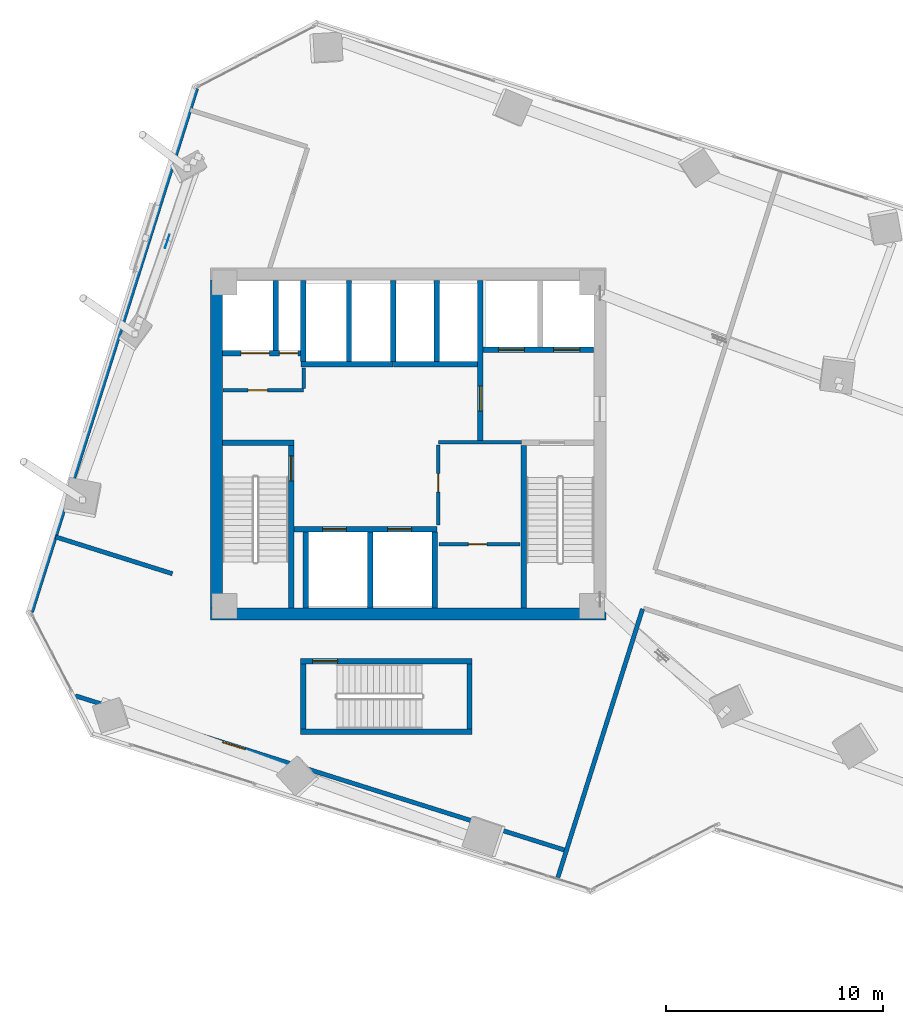
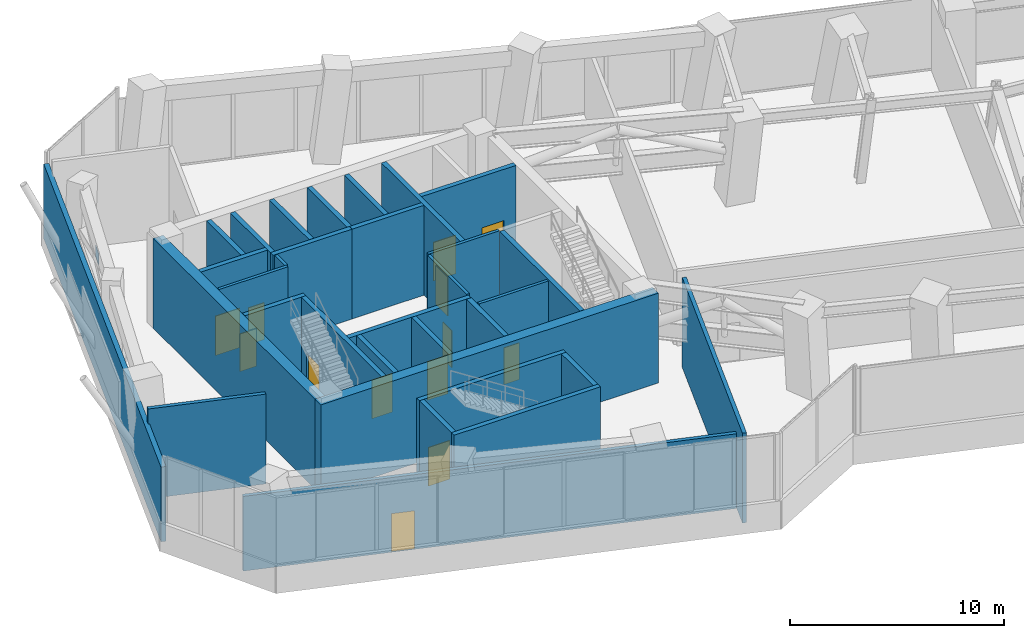
# One storey, part 23 of 29: 32 walls, 13 doors, 1 plate, 13 openings.
"""IFC4 building model written with IfcOpenShell, lengths in metres."""

from ifc_helpers import new_model, si_unit, direction, frame, frame_2d, origin, origin_2d, place, context, subcontext, project, spatial, rectangle, extrude, source, transform, mapped, material, layer, layer_set, type_object, element, fill, save


model = new_model("IFC4")

# Units and contexts
model_context = context("Model", 3, precision=1e-05, world=origin(), true_north=direction((0.0, 1.0)))
body_context = subcontext(model_context, "Body", "Model", "MODEL_VIEW")
ifc_project = project(units=[si_unit("LENGTHUNIT", "METRE"), si_unit("AREAUNIT", "SQUARE_METRE"), si_unit("VOLUMEUNIT", "CUBIC_METRE"), si_unit("PLANEANGLEUNIT", "RADIAN"), si_unit("MASSUNIT", "GRAM", prefix="KILO")], contexts=[model_context])

# Site, building, storey
site_placement = place(None, origin())
site = spatial("IfcSite", under=ifc_project, at=site_placement, CompositionType="ELEMENT")
building_placement = place(site_placement, origin())
building = spatial("IfcBuilding", under=site, at=building_placement, Name="Torre Montelarca", CompositionType="ELEMENT")
storey_placement = place(building_placement, frame((0.0, 0.0, 122.199951171875)))
storey = spatial("IfcBuildingStorey", under=building, at=storey_placement, Name="L27", CompositionType="ELEMENT", Elevation=122.199951171875)

# Plate
ifc_material_1 = material(Name="Steel ASTM A572 Grade 50", Category="steel")
ifc_layer_1 = layer(ifc_material_1, 0.02392578125, Name="Steel ASTM A572 Grade 50", Category="steel")
ifc_layer_set_1 = layer_set([ifc_layer_1], Name="Steel ASTM A572 Grade 50")
plate_type = type_object("IfcPlateType", Name="PL-GUSSET-24-EXT", PredefinedType="SHEET", material=ifc_layer_set_1)
shared_shape_1 = source(origin(), body_context, "Body", "SweptSolid", [
    extrude(rectangle(XDim=0.64990234375, YDim=0.02392578125, at=origin_2d()), origin(), (0.0, 0.0, 1.0), 0.64990234375),
])
plate_placement = place(storey_placement, frame((6.915283203125, 41.33203125, 3.47509765625), z_axis=(0.0, 0.0, 1.0), x_axis=(0.321769986684, 0.946817868267, 0.0)))
element("IfcPlate", 1, at=plate_placement, inside=storey, type_object=plate_type, Name="L27 Belt-Truss X-Brace Crossing Gusset Plate 1", PredefinedType="SHEET", context=body_context, shape_type="MappedRepresentation", body=[
    mapped(shared_shape_1, transform((0.0, 0.0, 0.0), scale=1.0)),
])

# Wall, opening, door
ifc_material_2 = material(Name="Concrete C40/50", Category="concrete")
ifc_layer_2 = layer(ifc_material_2, 0.25, Name="Concrete C40/50", Category="concrete")
ifc_layer_set_2 = layer_set([ifc_layer_2], Name="Concrete C40/50")
wall_type_1 = type_object("IfcWallType", Name="CW-SHAFT-250", PredefinedType="SHEAR", material=ifc_layer_set_2)
wall_1_placement = place(storey_placement, frame((12.625, 24.4599609375, 0.0), z_axis=(0.0, 0.0, 1.0), x_axis=(0.0, 1.0, 0.0)))
wall_1 = element("IfcWall", 2, at=wall_1_placement, inside=storey, type_object=wall_type_1, Name="L27 Core Shear Wall SH-ST1-E", PredefinedType="SHEAR", context=body_context, shape_type="SweptSolid", body=[
    extrude(rectangle(XDim=7.489990234375, YDim=0.25, at=frame_2d((3.7451171875, 0.0))), origin(), (0.0, 0.0, 1.0), 5.1201171875),
])
opening_1_placement = place(wall_1_placement, frame((5.85009765625, 0.0, 0.0)))
opening_1 = element("IfcOpeningElement", 3, at=opening_1_placement, cuts=wall_1, Name="Opening FD-ST1", PredefinedType="OPENING", context=body_context, shape_type="SweptSolid", body=[
    extrude(rectangle(XDim=1.14990234375, YDim=2.199951171875, at=frame_2d((0.574951171875, 1.10009765625))), frame((0.0, 0.135009765625, 0.0), z_axis=(0.0, -1.0, 0.0), x_axis=(1.0, 0.0, 0.0)), (0.0, 0.0, 1.0), 0.27001953125),
])
ifc_material_3 = material(Name="Galvanized steel fire door", Category="steel")
door_type_1 = type_object("IfcDoorType", Name="DR-STAIR-115", OperationType="NOTDEFINED", PredefinedType="DOOR", material=ifc_material_3)
shared_shape_2 = source(origin(), body_context, "Body", "SweptSolid", [
    extrude(rectangle(XDim=1.14990234375, YDim=2.199951171875, at=frame_2d((0.574951171875, 1.10009765625))), frame((0.0, 0.02490234375, 0.0), z_axis=(0.0, -1.0, 0.0), x_axis=(1.0, 0.0, 0.0)), (0.0, 0.0, 1.0), 0.050048828125),
])
door_1_placement = place(opening_1_placement, origin())
door_1 = element("IfcDoor", 4, at=door_1_placement, inside=storey, type_object=door_type_1, Name="L27 Exit Stair ST1 Fire Door", OperationType="SINGLE_SWING_RIGHT", OverallHeight=2.199951171875, OverallWidth=1.14990234375, PredefinedType="DOOR", context=body_context, shape_type="MappedRepresentation", body=[
    mapped(shared_shape_2, transform((0.0, 0.0, 0.0), scale=1.0)),
])
fill(opening_1, door_1)

# Walls
wall_2_placement = place(storey_placement, frame((9.4599609375, 32.074951171875, 0.0), z_axis=(0.0, 0.0, 1.0), x_axis=(1.0, 0.0, 0.0)))
element("IfcWall", 5, at=wall_2_placement, inside=storey, type_object=wall_type_1, Name="L27 Core Shear Wall SH-ST1-N", PredefinedType="SHEAR", context=body_context, shape_type="SweptSolid", body=[
    extrude(rectangle(XDim=3.2900390625, YDim=0.25, at=frame_2d((1.64501953125, 0.0))), origin(), (0.0, 0.0, 1.0), 5.1201171875),
])
wall_3_placement = place(storey_placement, frame((23.31494140625, 24.4599609375, 0.0), z_axis=(0.0, 0.0, 1.0), x_axis=(0.0, 1.0, 0.0)))
element("IfcWall", 6, at=wall_3_placement, inside=storey, type_object=wall_type_1, Name="L27 Core Shear Wall SH-ST2-W", PredefinedType="SHEAR", context=body_context, shape_type="SweptSolid", body=[
    extrude(rectangle(XDim=7.489990234375, YDim=0.25, at=frame_2d((3.7451171875, 0.0))), origin(), (0.0, 0.0, 1.0), 5.1201171875),
])

# Wall, opening, door
wall_4_placement = place(storey_placement, frame((21.320068359375, 32.1201171875, 0.0), z_axis=(0.0, 0.0, 1.0), x_axis=(0.0, 1.0, 0.0)))
wall_4 = element("IfcWall", 7, at=wall_4_placement, inside=storey, type_object=wall_type_1, Name="L27 Core Shear Wall SH-FFL-W", PredefinedType="SHEAR", context=body_context, shape_type="SweptSolid", body=[
    extrude(rectangle(XDim=7.419921875, YDim=0.25, at=frame_2d((3.7099609375, 0.0))), origin(), (0.0, 0.0, 1.0), 5.1201171875),
])
opening_2_placement = place(wall_4_placement, frame((1.39990234375, 0.0, 0.0)))
opening_2 = element("IfcOpeningElement", 8, at=opening_2_placement, cuts=wall_4, Name="Opening FD-LB1", PredefinedType="OPENING", context=body_context, shape_type="SweptSolid", body=[
    extrude(rectangle(XDim=1.14990234375, YDim=2.199951171875, at=frame_2d((0.574951171875, 1.10009765625))), frame((0.0, 0.135009765625, 0.0), z_axis=(0.0, -1.0, 0.0), x_axis=(1.0, 0.0, 0.0)), (0.0, 0.0, 1.0), 0.27001953125),
])
ifc_material_4 = material(Name="Acoustic timber-veneered fire door", Category="wood")
door_type_2 = type_object("IfcDoorType", Name="DR-LOBBY-115", OperationType="NOTDEFINED", PredefinedType="DOOR", material=ifc_material_4)
shared_shape_3 = source(origin(), body_context, "Body", "SweptSolid", [
    extrude(rectangle(XDim=1.14990234375, YDim=2.199951171875, at=frame_2d((0.574951171875, 1.10009765625))), frame((0.0, 0.02490234375, 0.0), z_axis=(0.0, -1.0, 0.0), x_axis=(1.0, 0.0, 0.0)), (0.0, 0.0, 1.0), 0.050048828125),
])
door_2_placement = place(opening_2_placement, origin())
door_2 = element("IfcDoor", 9, at=door_2_placement, inside=storey, type_object=door_type_2, Name="L27 Lift Lobby to Firefighting Lobby Smoke Door", OperationType="SINGLE_SWING_LEFT", OverallHeight=2.199951171875, OverallWidth=1.14990234375, PredefinedType="DOOR", context=body_context, shape_type="MappedRepresentation", body=[
    mapped(shared_shape_3, transform((0.0, 0.0, 0.0), scale=1.0)),
])
fill(opening_2, door_2)

# Wall, openings, doors
wall_5_placement = place(storey_placement, frame((9.4599609375, 36.179931640625, 0.0), z_axis=(0.0, 0.0, 1.0), x_axis=(1.0, 0.0, 0.0)))
wall_5 = element("IfcWall", 10, at=wall_5_placement, inside=storey, type_object=wall_type_1, Name="L27 Core Shear Wall SH-SV1-S", PredefinedType="SHEAR", context=body_context, shape_type="SweptSolid", body=[
    extrude(rectangle(XDim=3.7900390625, YDim=0.25, at=frame_2d((1.89501953125, 0.0))), origin(), (0.0, 0.0, 1.0), 5.1201171875),
])
opening_3_placement = place(wall_5_placement, frame((2.6201171875, 0.0, 0.0)))
opening_3 = element("IfcOpeningElement", 11, at=opening_3_placement, cuts=wall_5, Name="Opening FD-085", PredefinedType="OPENING", context=body_context, shape_type="SweptSolid", body=[
    extrude(rectangle(XDim=0.85009765625, YDim=2.10009765625, at=frame_2d((0.425048828125, 1.050048828125))), frame((0.0, 0.135009765625, 0.0), z_axis=(0.0, -1.0, 0.0), x_axis=(1.0, 0.0, 0.0)), (0.0, 0.0, 1.0), 0.27001953125),
])
opening_4_placement = place(wall_5_placement, frame((0.85009765625, 0.0, 0.0)))
opening_4 = element("IfcOpeningElement", 12, at=opening_4_placement, cuts=wall_5, Name="Opening LD-130", PredefinedType="OPENING", context=body_context, shape_type="SweptSolid", body=[
    extrude(rectangle(XDim=1.300048828125, YDim=2.25, at=frame_2d((0.64990234375, 1.125))), frame((0.0, 0.135009765625, 0.0), z_axis=(0.0, -1.0, 0.0), x_axis=(1.0, 0.0, 0.0)), (0.0, 0.0, 1.0), 0.27001953125),
])
ifc_material_5 = material(Name="Steel riser access fire door", Category="steel")
door_type_3 = type_object("IfcDoorType", Name="DR-RISER-085", OperationType="NOTDEFINED", PredefinedType="DOOR", material=ifc_material_5)
shared_shape_4 = source(origin(), body_context, "Body", "SweptSolid", [
    extrude(rectangle(XDim=0.85009765625, YDim=2.10009765625, at=frame_2d((0.425048828125, 1.050048828125))), frame((0.0, 0.02490234375, 0.0), z_axis=(0.0, -1.0, 0.0), x_axis=(1.0, 0.0, 0.0)), (0.0, 0.0, 1.0), 0.050048828125),
])
door_3_placement = place(opening_3_placement, origin())
door_3 = element("IfcDoor", 13, at=door_3_placement, inside=storey, type_object=door_type_3, Name="L27 Electrical Riser Shaft Access Door", OperationType="SINGLE_SWING_RIGHT", OverallHeight=2.10009765625, OverallWidth=0.85009765625, PredefinedType="DOOR", context=body_context, shape_type="MappedRepresentation", body=[
    mapped(shared_shape_4, transform((0.0, 0.0, 0.0), scale=1.0)),
])
fill(opening_3, door_3)
ifc_material_6 = material(Name="Brushed stainless steel AISI 316", Category="steel")
door_type_4 = type_object("IfcDoorType", Name="DR-LIFT-130", OperationType="SLIDING_TO_LEFT", PredefinedType="DOOR", material=ifc_material_6)
shared_shape_5 = source(origin(), body_context, "Body", "SweptSolid", [
    extrude(rectangle(XDim=1.300048828125, YDim=2.25, at=frame_2d((0.64990234375, 1.125))), frame((0.0, 0.02490234375, 0.0), z_axis=(0.0, -1.0, 0.0), x_axis=(1.0, 0.0, 0.0)), (0.0, 0.0, 1.0), 0.050048828125),
])
door_4_placement = place(opening_4_placement, origin())
door_4 = element("IfcDoor", 14, at=door_4_placement, inside=storey, type_object=door_type_4, Name="L27 Lift Landing Sliding Door SV-1", OperationType="SLIDING_TO_LEFT", OverallHeight=2.25, OverallWidth=1.300048828125, PredefinedType="DOOR", context=body_context, shape_type="MappedRepresentation", body=[
    mapped(shared_shape_5, transform((0.0, 0.0, 0.0), scale=1.0)),
])
fill(opening_4, door_4)

# Wall
wall_6_placement = place(storey_placement, frame((11.89990234375, 36.31005859375, 0.0), z_axis=(0.0, 0.0, 1.0), x_axis=(0.0, 1.0, 0.0)))
element("IfcWall", 15, at=wall_6_placement, inside=storey, type_object=wall_type_1, Name="L27 Core Shear Wall SH-SV1-E", PredefinedType="SHEAR", context=body_context, shape_type="SweptSolid", body=[
    extrude(rectangle(XDim=3.22998046875, YDim=0.25, at=frame_2d((1.614990234375, 0.0))), origin(), (0.0, 0.0, 1.0), 5.1201171875),
])

# Wall, openings, doors
wall_7_placement = place(storey_placement, frame((21.449951171875, 36.35009765625, 0.0), z_axis=(0.0, 0.0, 1.0), x_axis=(1.0, 0.0, 0.0)))
wall_7 = element("IfcWall", 16, at=wall_7_placement, inside=storey, type_object=wall_type_1, Name="L27 Core Shear Wall SH-FF-S", PredefinedType="SHEAR", context=body_context, shape_type="SweptSolid", body=[
    extrude(rectangle(XDim=5.090087890625, YDim=0.25, at=frame_2d((2.544921875, 0.0))), origin(), (0.0, 0.0, 1.0), 5.1201171875),
])
opening_5_placement = place(wall_7_placement, frame((0.699951171875, 0.0, 0.0)))
opening_5 = element("IfcOpeningElement", 17, at=opening_5_placement, cuts=wall_7, Name="Opening LD-120", PredefinedType="OPENING", context=body_context, shape_type="SweptSolid", body=[
    extrude(rectangle(XDim=1.199951171875, YDim=2.199951171875, at=frame_2d((0.60009765625, 1.10009765625))), frame((0.0, 0.135009765625, 0.0), z_axis=(0.0, -1.0, 0.0), x_axis=(1.0, 0.0, 0.0)), (0.0, 0.0, 1.0), 0.27001953125),
])
opening_6_placement = place(wall_7_placement, frame((3.25, 0.0, 0.0)))
opening_6 = element("IfcOpeningElement", 18, at=opening_6_placement, cuts=wall_7, Name="Opening LD-120", PredefinedType="OPENING", context=body_context, shape_type="SweptSolid", body=[
    extrude(rectangle(XDim=1.199951171875, YDim=2.199951171875, at=frame_2d((0.60009765625, 1.10009765625))), frame((0.0, 0.135009765625, 0.0), z_axis=(0.0, -1.0, 0.0), x_axis=(1.0, 0.0, 0.0)), (0.0, 0.0, 1.0), 0.27001953125),
])
door_type_5 = type_object("IfcDoorType", Name="DR-LIFT-120", OperationType="SLIDING_TO_RIGHT", PredefinedType="DOOR", material=ifc_material_6)
shared_shape_6 = source(origin(), body_context, "Body", "SweptSolid", [
    extrude(rectangle(XDim=1.199951171875, YDim=2.199951171875, at=frame_2d((0.60009765625, 1.10009765625))), frame((0.0, 0.02490234375, 0.0), z_axis=(0.0, -1.0, 0.0), x_axis=(1.0, 0.0, 0.0)), (0.0, 0.0, 1.0), 0.050048828125),
])
door_5_placement = place(opening_5_placement, origin())
door_5 = element("IfcDoor", 19, at=door_5_placement, inside=storey, type_object=door_type_5, Name="L27 Lift Landing Sliding Door FF-1", OperationType="SLIDING_TO_LEFT", OverallHeight=2.199951171875, OverallWidth=1.199951171875, PredefinedType="DOOR", context=body_context, shape_type="MappedRepresentation", body=[
    mapped(shared_shape_6, transform((0.0, 0.0, 0.0), scale=1.0)),
])
fill(opening_5, door_5)
door_6_placement = place(opening_6_placement, origin())
door_6 = element("IfcDoor", 20, at=door_6_placement, inside=storey, type_object=door_type_5, Name="L27 Lift Landing Sliding Door FF-2", OperationType="SLIDING_TO_RIGHT", OverallHeight=2.199951171875, OverallWidth=1.199951171875, PredefinedType="DOOR", context=body_context, shape_type="MappedRepresentation", body=[
    mapped(shared_shape_6, transform((0.0, 0.0, 0.0), scale=1.0)),
])
fill(opening_6, door_6)

wall_8_placement = place(storey_placement, frame((12.6298828125, 28.080078125, 0.0), z_axis=(0.0, 0.0, 1.0), x_axis=(1.0, 0.0, 0.0)))
wall_8 = element("IfcWall", 21, at=wall_8_placement, inside=storey, type_object=wall_type_1, Name="L27 Core Shear Wall SH-PLL-N", PredefinedType="SHEAR", context=body_context, shape_type="SweptSolid", body=[
    extrude(rectangle(XDim=6.710205078125, YDim=0.25, at=frame_2d((3.35498046875, 0.0))), origin(), (0.0, 0.0, 1.0), 5.1201171875),
])
opening_7_placement = place(wall_8_placement, frame((1.429931640625, 0.0, 0.0)))
opening_7 = element("IfcOpeningElement", 22, at=opening_7_placement, cuts=wall_8, Name="Opening LD-110", PredefinedType="OPENING", context=body_context, shape_type="SweptSolid", body=[
    extrude(rectangle(XDim=1.10009765625, YDim=2.199951171875, at=frame_2d((0.550048828125, 1.10009765625))), frame((0.0, 0.135009765625, 0.0), z_axis=(0.0, -1.0, 0.0), x_axis=(1.0, 0.0, 0.0)), (0.0, 0.0, 1.0), 0.27001953125),
])
opening_8_placement = place(wall_8_placement, frame((4.429931640625, 0.0, 0.0)))
opening_8 = element("IfcOpeningElement", 23, at=opening_8_placement, cuts=wall_8, Name="Opening LD-110", PredefinedType="OPENING", context=body_context, shape_type="SweptSolid", body=[
    extrude(rectangle(XDim=1.10009765625, YDim=2.199951171875, at=frame_2d((0.550048828125, 1.10009765625))), frame((0.0, 0.135009765625, 0.0), z_axis=(0.0, -1.0, 0.0), x_axis=(1.0, 0.0, 0.0)), (0.0, 0.0, 1.0), 0.27001953125),
])
door_type_6 = type_object("IfcDoorType", Name="DR-LIFT-110", OperationType="SLIDING_TO_LEFT", PredefinedType="DOOR", material=ifc_material_6)
shared_shape_7 = source(origin(), body_context, "Body", "SweptSolid", [
    extrude(rectangle(XDim=1.10009765625, YDim=2.199951171875, at=frame_2d((0.550048828125, 1.10009765625))), frame((0.0, 0.02490234375, 0.0), z_axis=(0.0, -1.0, 0.0), x_axis=(1.0, 0.0, 0.0)), (0.0, 0.0, 1.0), 0.050048828125),
])
door_7_placement = place(opening_7_placement, origin())
door_7 = element("IfcDoor", 24, at=door_7_placement, inside=storey, type_object=door_type_6, Name="L27 Lift Landing Sliding Door PL-L1", OperationType="SLIDING_TO_LEFT", OverallHeight=2.199951171875, OverallWidth=1.10009765625, PredefinedType="DOOR", context=body_context, shape_type="MappedRepresentation", body=[
    mapped(shared_shape_7, transform((0.0, 0.0, 0.0), scale=1.0)),
])
fill(opening_7, door_7)
door_8_placement = place(opening_8_placement, origin())
door_8 = element("IfcDoor", 25, at=door_8_placement, inside=storey, type_object=door_type_6, Name="L27 Lift Landing Sliding Door PL-L2", OperationType="SLIDING_TO_RIGHT", OverallHeight=2.199951171875, OverallWidth=1.10009765625, PredefinedType="DOOR", context=body_context, shape_type="MappedRepresentation", body=[
    mapped(shared_shape_7, transform((0.0, 0.0, 0.0), scale=1.0)),
])
fill(opening_8, door_8)

# Walls
for number, where, z_axis, x_axis, name in (
    (26, (13.280029296875, 24.4599609375, 0.0), (0.0, 0.0, 1.0), (0.0, 1.0, 0.0), "L27 Core Shear Wall SH-PLL-W"),
    (27, (16.25, 24.4599609375, 0.0), (0.0, 0.0, 1.0), (0.0, 1.0, 0.0), "L27 Core Shear Wall SH-PLL-M"),
    (28, (19.219970703125, 24.4599609375, 0.0), (0.0, 0.0, 1.0), (0.0, 1.0, 0.0), "L27 Core Shear Wall SH-PLL-E"),
):
    element("IfcWall", number, at=place(storey_placement, frame(where, z_axis=z_axis, x_axis=x_axis)), inside=storey, type_object=wall_type_1, Name=name, PredefinedType="SHEAR", context=body_context, shape_type="SweptSolid", body=[
        extrude(rectangle(XDim=3.489990234375, YDim=0.25, at=frame_2d((1.7451171875, 0.0))), origin(), (0.0, 0.0, 1.0), 5.1201171875),
    ])
wall_9_placement = place(storey_placement, frame((13.06005859375, 35.679931640625, 0.0), z_axis=(0.0, 0.0, 1.0), x_axis=(1.0, 0.0, 0.0)))
element("IfcWall", 29, at=wall_9_placement, inside=storey, type_object=wall_type_1, Name="L27 Core Shear Wall SH-PLM-S", PredefinedType="SHEAR", context=body_context, shape_type="SweptSolid", body=[
    extrude(rectangle(XDim=4.25, YDim=0.25, at=frame_2d((2.125, 0.0))), origin(), (0.0, 0.0, 1.0), 5.1201171875),
])
for number, where, z_axis, x_axis, name in (
    (30, (13.179931640625, 35.81005859375, 0.0), (0.0, 0.0, 1.0), (0.0, 1.0, 0.0), "L27 Core Shear Wall SH-PLM-W"),
    (31, (15.280029296875, 35.81005859375, 0.0), (0.0, 0.0, 1.0), (0.0, 1.0, 0.0), "L27 Core Shear Wall SH-PLM-M"),
):
    element("IfcWall", number, at=place(storey_placement, frame(where, z_axis=z_axis, x_axis=x_axis)), inside=storey, type_object=wall_type_1, Name=name, PredefinedType="SHEAR", context=body_context, shape_type="SweptSolid", body=[
        extrude(rectangle(XDim=3.72998046875, YDim=0.25, at=frame_2d((1.864990234375, 0.0))), origin(), (0.0, 0.0, 1.0), 5.1201171875),
    ])
wall_10_placement = place(storey_placement, frame((17.320068359375, 35.679931640625, 0.0), z_axis=(0.0, 0.0, 1.0), x_axis=(1.0, 0.0, 0.0)))
element("IfcWall", 32, at=wall_10_placement, inside=storey, type_object=wall_type_1, Name="L27 Core Shear Wall SH-PLH-S", PredefinedType="SHEAR", context=body_context, shape_type="SweptSolid", body=[
    extrude(rectangle(XDim=3.869873046875, YDim=0.25, at=frame_2d((1.93505859375, 0.0))), origin(), (0.0, 0.0, 1.0), 5.1201171875),
])
for number, where, z_axis, x_axis, name in (
    (33, (17.320068359375, 35.81005859375, 0.0), (0.0, 0.0, 1.0), (0.0, 1.0, 0.0), "L27 Core Shear Wall SH-PLH-W"),
    (34, (19.320068359375, 35.81005859375, 0.0), (0.0, 0.0, 1.0), (0.0, 1.0, 0.0), "L27 Core Shear Wall SH-PLH-M"),
):
    element("IfcWall", number, at=place(storey_placement, frame(where, z_axis=z_axis, x_axis=x_axis)), inside=storey, type_object=wall_type_1, Name=name, PredefinedType="SHEAR", context=body_context, shape_type="SweptSolid", body=[
        extrude(rectangle(XDim=3.72998046875, YDim=0.25, at=frame_2d((1.864990234375, 0.0))), origin(), (0.0, 0.0, 1.0), 5.1201171875),
    ])
for number, where, z_axis, x_axis, name in (
    (35, (13.175048828125, 18.89990234375, 0.0), (0.0, 0.0, 1.0), (0.0, 1.0, 0.0), "L27 Core Shear Wall SH-ST3-W"),
    (36, (20.824951171875, 18.89990234375, 0.0), (0.0, 0.0, 1.0), (0.0, 1.0, 0.0), "L27 Core Shear Wall SH-ST3-E"),
):
    element("IfcWall", number, at=place(storey_placement, frame(where, z_axis=z_axis, x_axis=x_axis)), inside=storey, type_object=wall_type_1, Name=name, PredefinedType="SHEAR", context=body_context, shape_type="SweptSolid", body=[
        extrude(rectangle(XDim=2.989990234375, YDim=0.25, at=frame_2d((1.4951171875, 0.0))), origin(), (0.0, 0.0, 1.0), 5.1201171875),
    ])
wall_11_placement = place(storey_placement, frame((13.050048828125, 18.77490234375, 0.0), z_axis=(0.0, 0.0, 1.0), x_axis=(1.0, 0.0, 0.0)))
element("IfcWall", 37, at=wall_11_placement, inside=storey, type_object=wall_type_1, Name="L27 Core Shear Wall SH-ST3-S", PredefinedType="SHEAR", context=body_context, shape_type="SweptSolid", body=[
    extrude(rectangle(XDim=7.89990234375, YDim=0.25, at=frame_2d((3.949951171875, 0.0))), origin(), (0.0, 0.0, 1.0), 5.1201171875),
])

# Wall, opening, door
wall_12_placement = place(storey_placement, frame((13.050048828125, 22.014892578125, 0.0), z_axis=(0.0, 0.0, 1.0), x_axis=(1.0, 0.0, 0.0)))
wall_12 = element("IfcWall", 38, at=wall_12_placement, inside=storey, type_object=wall_type_1, Name="L27 Core Shear Wall SH-ST3-N", PredefinedType="SHEAR", context=body_context, shape_type="SweptSolid", body=[
    extrude(rectangle(XDim=7.89990234375, YDim=0.25, at=frame_2d((3.949951171875, 0.0))), origin(), (0.0, 0.0, 1.0), 5.1201171875),
])
opening_9_placement = place(wall_12_placement, frame((0.550048828125, 0.0, 0.0)))
opening_9 = element("IfcOpeningElement", 39, at=opening_9_placement, cuts=wall_12, Name="Opening FD-ST1", PredefinedType="OPENING", context=body_context, shape_type="SweptSolid", body=[
    extrude(rectangle(XDim=1.14990234375, YDim=2.199951171875, at=frame_2d((0.574951171875, 1.10009765625))), frame((0.0, 0.135009765625, 0.0), z_axis=(0.0, -1.0, 0.0), x_axis=(1.0, 0.0, 0.0)), (0.0, 0.0, 1.0), 0.27001953125),
])
door_9_placement = place(opening_9_placement, origin())
door_9 = element("IfcDoor", 40, at=door_9_placement, inside=storey, type_object=door_type_1, Name="L27 Exit Stair ST3 Fire Door", OperationType="SINGLE_SWING_LEFT", OverallHeight=2.199951171875, OverallWidth=1.14990234375, PredefinedType="DOOR", context=body_context, shape_type="MappedRepresentation", body=[
    mapped(shared_shape_2, transform((0.0, 0.0, 0.0), scale=1.0)),
])
fill(opening_9, door_9)

# Walls
ifc_material_7 = material(Name="Concrete C70/85", Category="concrete")
ifc_layer_3 = layer(ifc_material_7, 0.550048828125, Name="Concrete C70/85", Category="concrete")
ifc_layer_set_3 = layer_set([ifc_layer_3], Name="Concrete C70/85")
wall_type_2 = type_object("IfcWallType", Name="CW-SHEAR-550", PredefinedType="SHEAR", material=ifc_layer_set_3)
wall_13_placement = place(storey_placement, frame((9.175048828125, 24.449951171875, 0.0), z_axis=(0.0, 0.0, 1.0), x_axis=(0.0, 1.0, 0.0)))
element("IfcWall", 41, at=wall_13_placement, inside=storey, type_object=wall_type_2, Name="L27 Core Shear Wall CW-W", PredefinedType="SHEAR", context=body_context, shape_type="SweptSolid", body=[
    extrude(rectangle(XDim=15.10009765625, YDim=0.550048828125, at=frame_2d((7.550048828125, 0.0))), origin(), (0.0, 0.0, 1.0), 5.1201171875),
])
wall_14_placement = place(storey_placement, frame((8.89990234375, 24.175048828125, 0.0), z_axis=(0.0, 0.0, 1.0), x_axis=(1.0, 0.0, 0.0)))
element("IfcWall", 42, at=wall_14_placement, inside=storey, type_object=wall_type_2, Name="L27 Core Shear Wall CW-S1", PredefinedType="SHEAR", context=body_context, shape_type="SweptSolid", body=[
    extrude(rectangle(XDim=18.2001953125, YDim=0.550048828125, at=frame_2d((9.10009765625, 0.0))), origin(), (0.0, 0.0, 1.0), 5.1201171875),
])
ifc_material_8 = material(Name="Precast concrete C45/55", Category="concrete")
ifc_layer_4 = layer(ifc_material_8, 0.25, Name="Precast concrete C45/55", Category="concrete")
ifc_layer_set_4 = layer_set([ifc_layer_4], Name="Precast concrete C45/55")
wall_type_3 = type_object("IfcWallType", Name="EW-CONC-250", PredefinedType="SOLIDWALL", material=ifc_layer_set_4)
wall_15_placement = place(storey_placement, frame((8.24169921875, 48.379150390625, 0.0), z_axis=(0.0, 0.0, 1.0), x_axis=(-0.300707309749, -0.953716474569, 0.0)))
element("IfcWall", 43, at=wall_15_placement, inside=storey, type_object=wall_type_3, Name="L27 Mechanical Belt-Truss Louvre Wall E10", PredefinedType="SOLIDWALL", context=body_context, shape_type="SweptSolid", body=[
    extrude(rectangle(XDim=25.268310546875, YDim=0.25, at=frame_2d((12.63427734375, 0.0))), origin(), (0.0, 0.0, 1.0), 4.255126953125),
])

# Wall, opening, door
ifc_material_9 = material(Name="Gypsum plasterboard on steel stud", Category="steel")
ifc_layer_5 = layer(ifc_material_9, 0.159912109375, Name="Gypsum plasterboard on steel stud", Category="steel")
ifc_layer_set_5 = layer_set([ifc_layer_5], Name="Gypsum plasterboard on steel stud")
wall_type_4 = type_object("IfcWallType", Name="PW-FIRE-160", PredefinedType="PARTITIONING", material=ifc_layer_set_5)
wall_16_placement = place(storey_placement, frame((9.489990234375, 34.47998046875, 0.0), z_axis=(0.0, 0.0, 1.0), x_axis=(1.0, 0.0, 0.0)))
wall_16 = element("IfcWall", 44, at=wall_16_placement, inside=storey, type_object=wall_type_4, Name="L27 Interior Partition CW-L27-SVS", PredefinedType="PARTITIONING", context=body_context, shape_type="SweptSolid", body=[
    extrude(rectangle(XDim=3.699951171875, YDim=0.159912109375, at=frame_2d((1.85009765625, 0.0))), origin(), (0.0, 0.0, 1.0), 5.1201171875),
])
opening_10_placement = place(wall_16_placement, frame((1.14990234375, 0.0, 0.0)))
opening_10 = element("IfcOpeningElement", 45, at=opening_10_placement, cuts=wall_16, Name="Opening FD-090", PredefinedType="OPENING", context=body_context, shape_type="SweptSolid", body=[
    extrude(rectangle(XDim=0.89990234375, YDim=2.14990234375, at=frame_2d((0.449951171875, 1.074951171875))), frame((0.0, 0.08984375, 0.0), z_axis=(0.0, -1.0, 0.0), x_axis=(1.0, 0.0, 0.0)), (0.0, 0.0, 1.0), 0.179931640625),
])
ifc_material_10 = material(Name="Steel service fire door", Category="steel")
door_type_7 = type_object("IfcDoorType", Name="DR-FIRE-090", OperationType="NOTDEFINED", PredefinedType="DOOR", material=ifc_material_10)
shared_shape_8 = source(origin(), body_context, "Body", "SweptSolid", [
    extrude(rectangle(XDim=0.89990234375, YDim=2.14990234375, at=frame_2d((0.449951171875, 1.074951171875))), frame((0.0, 0.02490234375, 0.0), z_axis=(0.0, -1.0, 0.0), x_axis=(1.0, 0.0, 0.0)), (0.0, 0.0, 1.0), 0.050048828125),
])
door_10_placement = place(opening_10_placement, origin())
door_10 = element("IfcDoor", 46, at=door_10_placement, inside=storey, type_object=door_type_7, Name="L27 Interior Door 01", OperationType="SINGLE_SWING_RIGHT", OverallHeight=2.14990234375, OverallWidth=0.89990234375, PredefinedType="DOOR", context=body_context, shape_type="MappedRepresentation", body=[
    mapped(shared_shape_8, transform((0.0, 0.0, 0.0), scale=1.0)),
])
fill(opening_10, door_10)

# Walls
wall_17_placement = place(storey_placement, frame((13.199951171875, 34.570068359375, 0.0), z_axis=(0.0, 0.0, 1.0), x_axis=(0.0, 1.0, 0.0)))
element("IfcWall", 47, at=wall_17_placement, inside=storey, type_object=wall_type_4, Name="L27 Interior Partition CW-L27-SVE", PredefinedType="PARTITIONING", context=body_context, shape_type="SweptSolid", body=[
    extrude(rectangle(XDim=0.93994140625, YDim=0.159912109375, at=frame_2d((0.469970703125, 0.0))), origin(), (0.0, 0.0, 1.0), 5.1201171875),
])
wall_18_placement = place(storey_placement, frame((19.389892578125, 32.080078125, 0.0), z_axis=(0.0, 0.0, 1.0), x_axis=(1.0, 0.0, 0.0)))
element("IfcWall", 48, at=wall_18_placement, inside=storey, type_object=wall_type_4, Name="L27 Interior Partition CW-L27-SEN", PredefinedType="PARTITIONING", context=body_context, shape_type="SweptSolid", body=[
    extrude(rectangle(XDim=3.820068359375, YDim=0.159912109375, at=frame_2d((1.91015625, 0.0))), origin(), (0.0, 0.0, 1.0), 5.1201171875),
])

# Wall, opening, door
wall_19_placement = place(storey_placement, frame((19.3798828125, 28.2900390625, 0.0), z_axis=(0.0, 0.0, 1.0), x_axis=(0.0, 1.0, 0.0)))
wall_19 = element("IfcWall", 49, at=wall_19_placement, inside=storey, type_object=wall_type_4, Name="L27 Interior Partition CW-L27-SEW", PredefinedType="PARTITIONING", context=body_context, shape_type="SweptSolid", body=[
    extrude(rectangle(XDim=3.669921875, YDim=0.159912109375, at=frame_2d((1.8349609375, 0.0))), origin(), (0.0, 0.0, 1.0), 5.1201171875),
])
opening_11_placement = place(wall_19_placement, frame((1.5, 0.0, 0.0)))
opening_11 = element("IfcOpeningElement", 50, at=opening_11_placement, cuts=wall_19, Name="Opening FD-085", PredefinedType="OPENING", context=body_context, shape_type="SweptSolid", body=[
    extrude(rectangle(XDim=0.85009765625, YDim=2.10009765625, at=frame_2d((0.425048828125, 1.050048828125))), frame((0.0, 0.08984375, 0.0), z_axis=(0.0, -1.0, 0.0), x_axis=(1.0, 0.0, 0.0)), (0.0, 0.0, 1.0), 0.179931640625),
])
door_11_placement = place(opening_11_placement, origin())
door_11 = element("IfcDoor", 51, at=door_11_placement, inside=storey, type_object=door_type_3, Name="L27 Interior Door 03", OperationType="SINGLE_SWING_RIGHT", OverallHeight=2.10009765625, OverallWidth=0.85009765625, PredefinedType="DOOR", context=body_context, shape_type="MappedRepresentation", body=[
    mapped(shared_shape_4, transform((0.0, 0.0, 0.0), scale=1.0)),
])
fill(opening_11, door_11)

wall_20_placement = place(storey_placement, frame((19.419921875, 27.39990234375, 0.0), z_axis=(0.0, 0.0, 1.0), x_axis=(1.0, 0.0, 0.0)))
wall_20 = element("IfcWall", 52, at=wall_20_placement, inside=storey, type_object=wall_type_4, Name="L27 Interior Partition CW-L27-SEM1", PredefinedType="PARTITIONING", context=body_context, shape_type="SweptSolid", body=[
    extrude(rectangle(XDim=3.719970703125, YDim=0.159912109375, at=frame_2d((1.85986328125, 0.0))), origin(), (0.0, 0.0, 1.0), 5.1201171875),
])
opening_12_placement = place(wall_20_placement, frame((1.35009765625, 0.0, 0.0)))
opening_12 = element("IfcOpeningElement", 53, at=opening_12_placement, cuts=wall_20, Name="Opening FD-085", PredefinedType="OPENING", context=body_context, shape_type="SweptSolid", body=[
    extrude(rectangle(XDim=0.85009765625, YDim=2.10009765625, at=frame_2d((0.425048828125, 1.050048828125))), frame((0.0, 0.08984375, 0.0), z_axis=(0.0, -1.0, 0.0), x_axis=(1.0, 0.0, 0.0)), (0.0, 0.0, 1.0), 0.179931640625),
])
door_12_placement = place(opening_12_placement, origin())
door_12 = element("IfcDoor", 54, at=door_12_placement, inside=storey, type_object=door_type_3, Name="L27 Interior Door 02", OperationType="SINGLE_SWING_LEFT", OverallHeight=2.10009765625, OverallWidth=0.85009765625, PredefinedType="DOOR", context=body_context, shape_type="MappedRepresentation", body=[
    mapped(shared_shape_4, transform((0.0, 0.0, 0.0), scale=1.0)),
])
fill(opening_12, door_12)

ifc_material_11 = material(Name="Gypsum fireboard and rockwool on steel stud", Category="steel")
ifc_layer_6 = layer(ifc_material_11, 0.199951171875, Name="Gypsum fireboard and rockwool on steel stud", Category="steel")
ifc_layer_set_6 = layer_set([ifc_layer_6], Name="Gypsum fireboard and rockwool on steel stud")
wall_type_5 = type_object("IfcWallType", Name="PW-FIRE-200", PredefinedType="SOLIDWALL", material=ifc_layer_set_6)
wall_21_placement = place(storey_placement, frame((2.685546875, 20.421875, 0.0), z_axis=(0.0, 0.0, 1.0), x_axis=(0.953714083977, -0.30071489159, 0.0)))
wall_21 = element("IfcWall", 55, at=wall_21_placement, inside=storey, type_object=wall_type_5, Name="L27 Interior Partition W-L27-REFS", PredefinedType="SOLIDWALL", context=body_context, shape_type="SweptSolid", body=[
    extrude(rectangle(XDim=23.652099609375, YDim=0.199951171875, at=frame_2d((11.826171875, 0.0))), origin(), (0.0, 0.0, 1.0), 4.255126953125),
])
opening_13_placement = place(wall_21_placement, frame((7.10009765625, 0.0, 0.0)))
opening_13 = element("IfcOpeningElement", 56, at=opening_13_placement, cuts=wall_21, Name="Opening FD-110", PredefinedType="OPENING", context=body_context, shape_type="SweptSolid", body=[
    extrude(rectangle(XDim=1.10009765625, YDim=2.199951171875, at=frame_2d((0.550048828125, 1.10009765625))), frame((0.0, 0.10986328125, 0.0), z_axis=(0.0, -1.0, 0.0), x_axis=(1.0, 0.0, 0.0)), (0.0, 0.0, 1.0), 0.219970703125),
])
ifc_material_12 = material(Name="Timber fire-rated suite door", Category="wood")
door_type_8 = type_object("IfcDoorType", Name="DR-FIRE-110", OperationType="NOTDEFINED", PredefinedType="DOOR", material=ifc_material_12)
shared_shape_9 = source(origin(), body_context, "Body", "SweptSolid", [
    extrude(rectangle(XDim=1.10009765625, YDim=2.199951171875, at=frame_2d((0.550048828125, 1.10009765625))), frame((0.0, 0.02490234375, 0.0), z_axis=(0.0, -1.0, 0.0), x_axis=(1.0, 0.0, 0.0)), (0.0, 0.0, 1.0), 0.050048828125),
])
door_13_placement = place(opening_13_placement, origin())
door_13 = element("IfcDoor", 57, at=door_13_placement, inside=storey, type_object=door_type_8, Name="L27 Interior Door 04", OperationType="SINGLE_SWING_RIGHT", OverallHeight=2.199951171875, OverallWidth=1.10009765625, PredefinedType="DOOR", context=body_context, shape_type="MappedRepresentation", body=[
    mapped(shared_shape_9, transform((0.0, 0.0, 0.0), scale=1.0)),
])
fill(opening_13, door_13)

# Walls
wall_22_placement = place(storey_placement, frame((24.884033203125, 12.03857421875, 0.0), z_axis=(0.0, 0.0, 1.0), x_axis=(0.300719056834, 0.953712770627, 0.0)))
element("IfcWall", 58, at=wall_22_placement, inside=storey, type_object=wall_type_5, Name="L27 Interior Partition W-L27-REFE", PredefinedType="SOLIDWALL", context=body_context, shape_type="SweptSolid", body=[
    extrude(rectangle(XDim=12.97998046875, YDim=0.199951171875, at=frame_2d((6.489990234375, 0.0))), origin(), (0.0, 0.0, 1.0), 5.1201171875),
])
wall_23_placement = place(storey_placement, frame((1.78369140625, 27.731201171875, 0.0), z_axis=(0.0, 0.0, 1.0), x_axis=(0.953712990632, -0.300718359099, 0.0)))
element("IfcWall", 59, at=wall_23_placement, inside=storey, type_object=wall_type_5, Name="L27 Interior Partition W-L27-ELECS", PredefinedType="SOLIDWALL", context=body_context, shape_type="SweptSolid", body=[
    extrude(rectangle(XDim=5.630126953125, YDim=0.199951171875, at=frame_2d((2.81494140625, 0.0))), origin(), (0.0, 0.0, 1.0), 5.1201171875),
])

save(model, "model.ifc")
